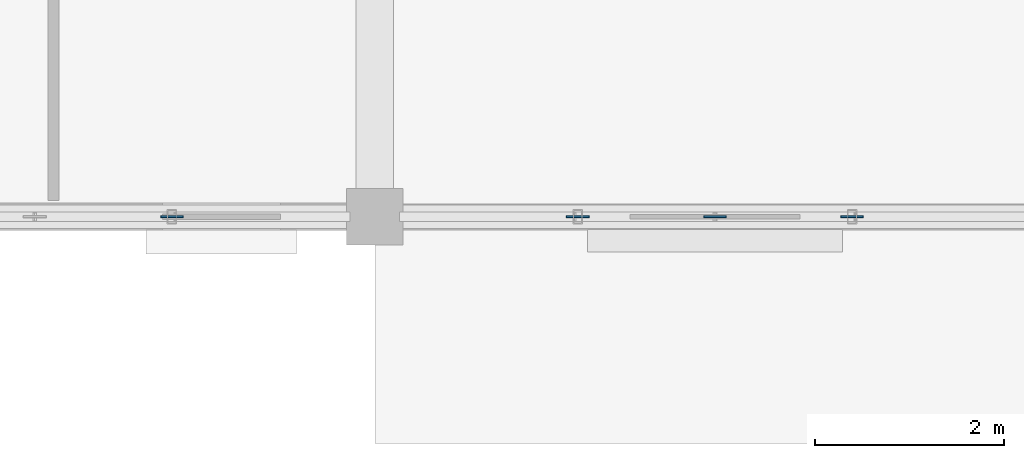
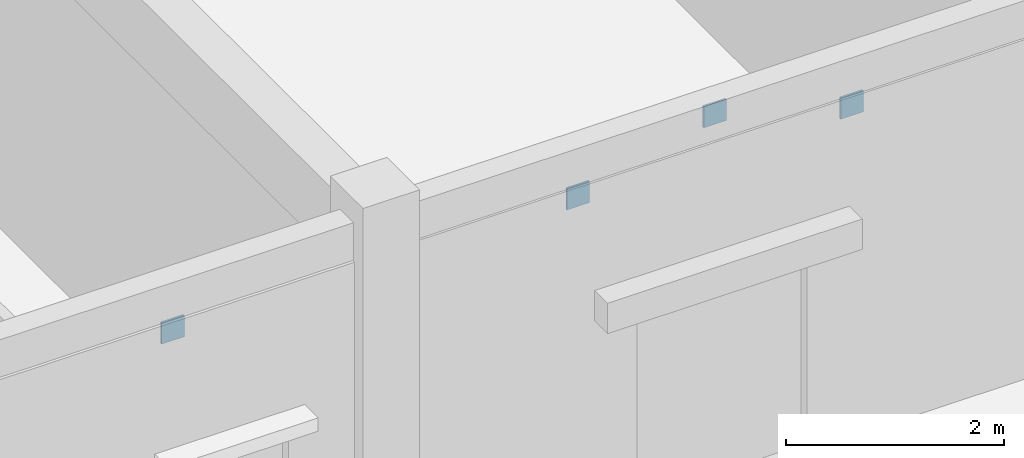
# One storey, part 90 of 138: 4 plates.
"""IFC4 building model written with IfcOpenShell, lengths in metres."""

from ifc_helpers import new_model, si_unit, direction, frame, origin, origin_2d, place, context, subcontext, project, spatial, rectangle, extrude, material, layer, layer_set, type_object, element, save


model = new_model("IFC4")

# Units and contexts
model_context = context("Model", 3, precision=1e-05, world=origin(), true_north=direction((0.0, 1.0)))
body_context = subcontext(model_context, "Body", "Model", "MODEL_VIEW")
ifc_project = project(units=[si_unit("LENGTHUNIT", "METRE"), si_unit("AREAUNIT", "SQUARE_METRE"), si_unit("VOLUMEUNIT", "CUBIC_METRE"), si_unit("PLANEANGLEUNIT", "RADIAN"), si_unit("MASSUNIT", "GRAM", prefix="KILO"), si_unit("THERMODYNAMICTEMPERATUREUNIT", "KELVIN"), si_unit("POWERUNIT", "WATT")], contexts=[model_context])

# Site, building, storey
site_placement = place(None, origin())
site = spatial("IfcSite", under=ifc_project, at=site_placement, CompositionType="ELEMENT")
building_placement = place(site_placement, origin())
building = spatial("IfcBuilding", under=site, at=building_placement, Name="Tavuni Mirador Residences", CompositionType="ELEMENT")
storey_placement = place(building_placement, origin())
storey = spatial("IfcBuildingStorey", under=building, at=storey_placement, Name="L00", CompositionType="ELEMENT", Elevation=0.0)

# Plates
ifc_material = material(Name="Structural steel S355", Category="steel")
ifc_layer = layer(ifc_material, 0.01806640625, Name="Structural steel S355", Category="steel")
ifc_layer_set = layer_set([ifc_layer], Name="Structural steel S355")
plate_type = type_object("IfcPlateType", Name="PLT-GP05", PredefinedType="USERDEFINED", material=ifc_layer_set)
for number, where, z_axis, x_axis, name in (
    (1, (37.451904296875, 144.0, 3.4921875), (0.0, 0.0, 1.0), (1.0, 0.0, 0.0), "ARCH-BLKC-S-03-GQ2"),
    (2, (41.748046875, 144.0, 3.4921875), (0.0, 0.0, 1.0), (1.0, 0.0, 0.0), "ARCH-BLKC-S-04-GQ1"),
    (3, (43.199951171875, 144.0, 3.90478515625), (0.0, 0.0, 1.0), (1.0, 0.0, 0.0), "ARCH-BLKC-S-04-GCR"),
    (4, (44.652099609375, 144.0, 3.4921875), (0.0, 0.0, 1.0), (1.0, 0.0, 0.0), "ARCH-BLKC-S-04-GQ2"),
):
    element("IfcPlate", number, at=place(storey_placement, frame(where, z_axis=z_axis, x_axis=x_axis)), inside=storey, type_object=plate_type, Name=name, ObjectType="GUSSET PLATE", PredefinedType="USERDEFINED", context=body_context, shape_type="SweptSolid", body=[
        extrude(rectangle(XDim=0.239990234375, YDim=0.02001953125, at=origin_2d()), origin(), (0.0, 0.0, 1.0), 0.239990234375),
    ])

save(model, "model.ifc")
